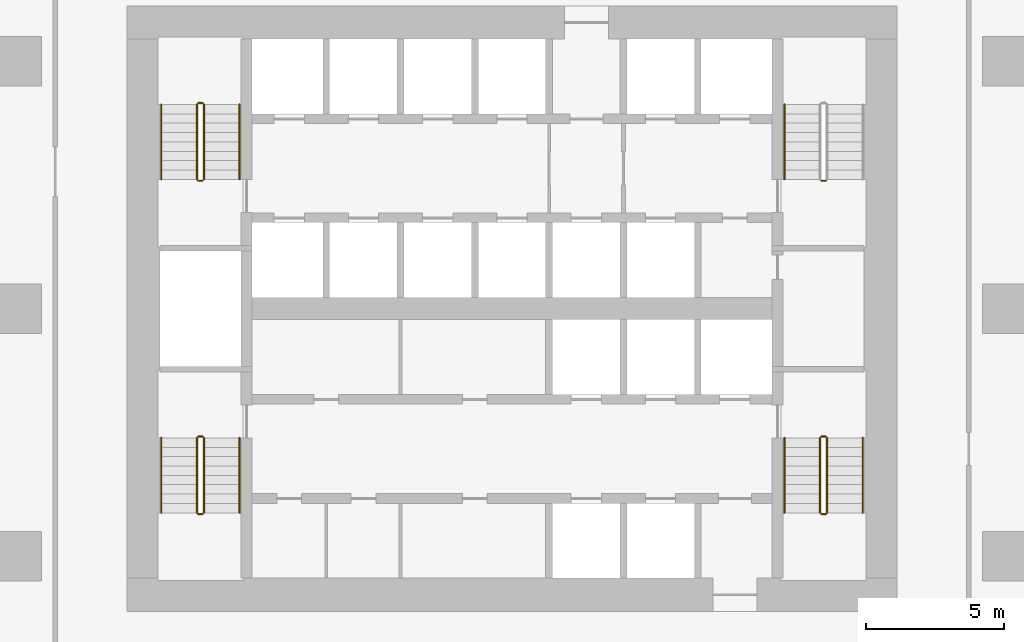
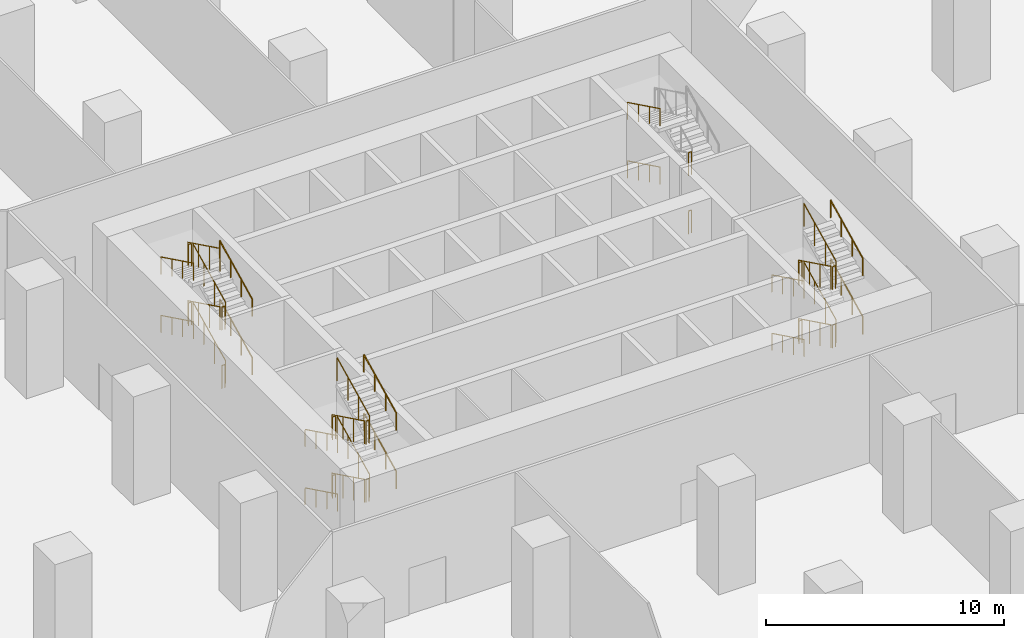
# One storey, part 10 of 11: 40 railings.
"""IFC4 building model written with IfcOpenShell, lengths in metres."""

from ifc_helpers import new_model, si_unit, direction, frame, origin, origin_2d, place, context, subcontext, project, spatial, circle, extrude, material, type_object, element, save


model = new_model("IFC4")

# Units and contexts
model_context = context("Model", 3, precision=1e-05, world=origin(), true_north=direction((0.0, 1.0)))
body_context = subcontext(model_context, "Body", "Model", "MODEL_VIEW")
ifc_project = project(units=[si_unit("LENGTHUNIT", "METRE"), si_unit("AREAUNIT", "SQUARE_METRE"), si_unit("VOLUMEUNIT", "CUBIC_METRE"), si_unit("PLANEANGLEUNIT", "RADIAN"), si_unit("MASSUNIT", "GRAM", prefix="KILO")], contexts=[model_context])

# Site, building, storey
site_placement = place(None, origin())
site = spatial("IfcSite", under=ifc_project, at=site_placement, CompositionType="ELEMENT")
building_placement = place(site_placement, origin())
building = spatial("IfcBuilding", under=site, at=building_placement, Name="Dongbaek Canopy Tower", CompositionType="ELEMENT")
storey_placement = place(building_placement, frame((0.0, 0.0, -6.0)))
storey = spatial("IfcBuildingStorey", under=building, at=storey_placement, Name="B1", CompositionType="ELEMENT", Elevation=-6.0)

# Railings
ifc_material_1 = material(Name="Stainless steel tube and balusters", Category="steel")
railing_type_1 = type_object("IfcRailingType", Name="Stair guard 1200", PredefinedType="GUARDRAIL", material=ifc_material_1)
for number, where, name in (
    (1, (11.39990234375, 4.64990234375, 3.0), "B1 ST-A stair guard 4"),
    (2, (11.39990234375, 4.64990234375, 0.0), "B1 ST-A stair guard 8"),
):
    element("IfcRailing", number, at=place(storey_placement, frame(where)), inside=storey, type_object=railing_type_1, Name=name, PredefinedType="GUARDRAIL", context=body_context, shape_type="SweptSolid", body=[
        extrude(circle(Radius=0.02392578125, at=origin_2d()), frame((0.0, 0.0, 1.17578125), z_axis=(-1.0, 0.0, 0.0), x_axis=(0.0, -1.0, 0.0)), (0.0, 0.0, 1.0), 0.14990234375),
        extrude(circle(Radius=0.02099609375, at=origin_2d()), origin(), (0.0, 0.0, 1.0), 1.15185546875),
        extrude(circle(Radius=0.02099609375, at=origin_2d()), frame((-0.14990234375, 0.0, 0.0)), (0.0, 0.0, 1.0), 1.15185546875),
    ])
railing_1_placement = place(storey_placement, frame((-11.199951171875, 4.699951171875, 0.166748046875)))
element("IfcRailing", 3, at=railing_1_placement, inside=storey, type_object=railing_type_1, Name="B1 ST-C stair guard 1", PredefinedType="GUARDRAIL", context=body_context, shape_type="SweptSolid", body=[
    extrude(circle(Radius=0.02392578125, at=origin_2d()), frame((0.0, 0.0, 1.17578125), z_axis=(0.0, 0.897929466783, 0.4401393787), x_axis=(-1.0, 0.0, 0.0)), (0.0, 0.0, 1.0), 3.029052734375),
    extrude(circle(Radius=0.02099609375, at=origin_2d()), origin(), (0.0, 0.0, 1.0), 1.15185546875),
    extrude(circle(Radius=0.02099609375, at=origin_2d()), frame((0.0, 0.90673828125, 0.4443359375)), (0.0, 0.0, 1.0), 1.15185546875),
    extrude(circle(Radius=0.02099609375, at=origin_2d()), frame((0.0, 1.813232421875, 0.888916015625)), (0.0, 0.0, 1.0), 1.15185546875),
    extrude(circle(Radius=0.02099609375, at=origin_2d()), frame((0.0, 2.719970703125, 1.333251953125)), (0.0, 0.0, 1.0), 1.15185546875),
])
railing_2_placement = place(storey_placement, frame((-11.25, 7.469970703125, 1.5)))
element("IfcRailing", 4, at=railing_2_placement, inside=storey, type_object=railing_type_1, Name="B1 ST-C stair guard 2", PredefinedType="GUARDRAIL", context=body_context, shape_type="SweptSolid", body=[
    extrude(circle(Radius=0.02392578125, at=origin_2d()), frame((0.0, 0.0, 1.17578125), z_axis=(-1.0, 0.0, 0.0), x_axis=(0.0, -1.0, 0.0)), (0.0, 0.0, 1.0), 0.14990234375),
    extrude(circle(Radius=0.02099609375, at=origin_2d()), origin(), (0.0, 0.0, 1.0), 1.15185546875),
    extrude(circle(Radius=0.02099609375, at=origin_2d()), frame((-0.14990234375, 0.0, 0.0)), (0.0, 0.0, 1.0), 1.15185546875),
])
railing_3_placement = place(storey_placement, frame((-11.449951171875, 7.419921875, 1.666748046875)))
element("IfcRailing", 5, at=railing_3_placement, inside=storey, type_object=railing_type_1, Name="B1 ST-C stair guard 3", PredefinedType="GUARDRAIL", context=body_context, shape_type="SweptSolid", body=[
    extrude(circle(Radius=0.02392578125, at=origin_2d()), frame((0.0, 0.0, 1.17578125), z_axis=(0.0, -0.897929466783, 0.4401393787), x_axis=(1.0, 0.0, 0.0)), (0.0, 0.0, 1.0), 3.029052734375),
    extrude(circle(Radius=0.02099609375, at=origin_2d()), origin(), (0.0, 0.0, 1.0), 1.15185546875),
    extrude(circle(Radius=0.02099609375, at=origin_2d()), frame((0.0, -0.90673828125, 0.4443359375)), (0.0, 0.0, 1.0), 1.15185546875),
    extrude(circle(Radius=0.02099609375, at=origin_2d()), frame((0.0, -1.813232421875, 0.888916015625)), (0.0, 0.0, 1.0), 1.15185546875),
    extrude(circle(Radius=0.02099609375, at=origin_2d()), frame((0.0, -2.719970703125, 1.333251953125)), (0.0, 0.0, 1.0), 1.15185546875),
])
railing_4_placement = place(storey_placement, frame((-11.25, 4.64990234375, 3.0)))
element("IfcRailing", 6, at=railing_4_placement, inside=storey, type_object=railing_type_1, Name="B1 ST-C stair guard 4", PredefinedType="GUARDRAIL", context=body_context, shape_type="SweptSolid", body=[
    extrude(circle(Radius=0.02392578125, at=origin_2d()), frame((0.0, 0.0, 1.17578125), z_axis=(-1.0, 0.0, 0.0), x_axis=(0.0, -1.0, 0.0)), (0.0, 0.0, 1.0), 0.14990234375),
    extrude(circle(Radius=0.02099609375, at=origin_2d()), origin(), (0.0, 0.0, 1.0), 1.15185546875),
    extrude(circle(Radius=0.02099609375, at=origin_2d()), frame((-0.14990234375, 0.0, 0.0)), (0.0, 0.0, 1.0), 1.15185546875),
])
railing_5_placement = place(storey_placement, frame((-11.199951171875, 4.699951171875, 3.166748046875)))
element("IfcRailing", 7, at=railing_5_placement, inside=storey, type_object=railing_type_1, Name="B1 ST-C stair guard 5", PredefinedType="GUARDRAIL", context=body_context, shape_type="SweptSolid", body=[
    extrude(circle(Radius=0.02392578125, at=origin_2d()), frame((0.0, 0.0, 1.17578125), z_axis=(0.0, 0.897929466783, 0.4401393787), x_axis=(-1.0, 0.0, 0.0)), (0.0, 0.0, 1.0), 3.029052734375),
    extrude(circle(Radius=0.02099609375, at=origin_2d()), origin(), (0.0, 0.0, 1.0), 1.15185546875),
    extrude(circle(Radius=0.02099609375, at=origin_2d()), frame((0.0, 0.90673828125, 0.4443359375)), (0.0, 0.0, 1.0), 1.15185546875),
    extrude(circle(Radius=0.02099609375, at=origin_2d()), frame((0.0, 1.813232421875, 0.888916015625)), (0.0, 0.0, 1.0), 1.15185546875),
    extrude(circle(Radius=0.02099609375, at=origin_2d()), frame((0.0, 2.719970703125, 1.333251953125)), (0.0, 0.0, 1.0), 1.15185546875),
])
railing_6_placement = place(storey_placement, frame((-11.25, 7.469970703125, 4.5)))
element("IfcRailing", 8, at=railing_6_placement, inside=storey, type_object=railing_type_1, Name="B1 ST-C stair guard 6", PredefinedType="GUARDRAIL", context=body_context, shape_type="SweptSolid", body=[
    extrude(circle(Radius=0.02392578125, at=origin_2d()), frame((0.0, 0.0, 1.17578125), z_axis=(-1.0, 0.0, 0.0), x_axis=(0.0, -1.0, 0.0)), (0.0, 0.0, 1.0), 0.14990234375),
    extrude(circle(Radius=0.02099609375, at=origin_2d()), origin(), (0.0, 0.0, 1.0), 1.15185546875),
    extrude(circle(Radius=0.02099609375, at=origin_2d()), frame((-0.14990234375, 0.0, 0.0)), (0.0, 0.0, 1.0), 1.15185546875),
])
railing_7_placement = place(storey_placement, frame((-11.449951171875, 7.419921875, 4.666748046875)))
element("IfcRailing", 9, at=railing_7_placement, inside=storey, type_object=railing_type_1, Name="B1 ST-C stair guard 7", PredefinedType="GUARDRAIL", context=body_context, shape_type="SweptSolid", body=[
    extrude(circle(Radius=0.02392578125, at=origin_2d()), frame((0.0, 0.0, 1.17578125), z_axis=(0.0, -0.897929466783, 0.4401393787), x_axis=(1.0, 0.0, 0.0)), (0.0, 0.0, 1.0), 3.029052734375),
    extrude(circle(Radius=0.02099609375, at=origin_2d()), origin(), (0.0, 0.0, 1.0), 1.15185546875),
    extrude(circle(Radius=0.02099609375, at=origin_2d()), frame((0.0, -0.90673828125, 0.4443359375)), (0.0, 0.0, 1.0), 1.15185546875),
    extrude(circle(Radius=0.02099609375, at=origin_2d()), frame((0.0, -1.813232421875, 0.888916015625)), (0.0, 0.0, 1.0), 1.15185546875),
    extrude(circle(Radius=0.02099609375, at=origin_2d()), frame((0.0, -2.719970703125, 1.333251953125)), (0.0, 0.0, 1.0), 1.15185546875),
])
railing_8_placement = place(storey_placement, frame((-11.25, 4.64990234375, 0.0)))
element("IfcRailing", 10, at=railing_8_placement, inside=storey, type_object=railing_type_1, Name="B1 ST-C stair guard 8", PredefinedType="GUARDRAIL", context=body_context, shape_type="SweptSolid", body=[
    extrude(circle(Radius=0.02392578125, at=origin_2d()), frame((0.0, 0.0, 1.17578125), z_axis=(-1.0, 0.0, 0.0), x_axis=(0.0, -1.0, 0.0)), (0.0, 0.0, 1.0), 0.14990234375),
    extrude(circle(Radius=0.02099609375, at=origin_2d()), origin(), (0.0, 0.0, 1.0), 1.15185546875),
    extrude(circle(Radius=0.02099609375, at=origin_2d()), frame((-0.14990234375, 0.0, 0.0)), (0.0, 0.0, 1.0), 1.15185546875),
])
railing_9_placement = place(storey_placement, frame((11.199951171875, -4.699951171875, 0.166748046875)))
element("IfcRailing", 11, at=railing_9_placement, inside=storey, type_object=railing_type_1, Name="B1 ST-B stair guard 1", PredefinedType="GUARDRAIL", context=body_context, shape_type="SweptSolid", body=[
    extrude(circle(Radius=0.02392578125, at=origin_2d()), frame((0.0, 0.0, 1.17578125), z_axis=(0.0, -0.897929466783, 0.4401393787), x_axis=(1.0, 0.0, 0.0)), (0.0, 0.0, 1.0), 3.029052734375),
    extrude(circle(Radius=0.02099609375, at=origin_2d()), origin(), (0.0, 0.0, 1.0), 1.15185546875),
    extrude(circle(Radius=0.02099609375, at=origin_2d()), frame((0.0, -0.90673828125, 0.4443359375)), (0.0, 0.0, 1.0), 1.15185546875),
    extrude(circle(Radius=0.02099609375, at=origin_2d()), frame((0.0, -1.813232421875, 0.888916015625)), (0.0, 0.0, 1.0), 1.15185546875),
    extrude(circle(Radius=0.02099609375, at=origin_2d()), frame((0.0, -2.719970703125, 1.333251953125)), (0.0, 0.0, 1.0), 1.15185546875),
])
railing_10_placement = place(storey_placement, frame((11.25, -7.469970703125, 1.5)))
element("IfcRailing", 12, at=railing_10_placement, inside=storey, type_object=railing_type_1, Name="B1 ST-B stair guard 2", PredefinedType="GUARDRAIL", context=body_context, shape_type="SweptSolid", body=[
    extrude(circle(Radius=0.02392578125, at=origin_2d()), frame((0.0, 0.0, 1.17578125), z_axis=(1.0, 0.0, 0.0), x_axis=(0.0, 1.0, 0.0)), (0.0, 0.0, 1.0), 0.14990234375),
    extrude(circle(Radius=0.02099609375, at=origin_2d()), origin(), (0.0, 0.0, 1.0), 1.15185546875),
    extrude(circle(Radius=0.02099609375, at=origin_2d()), frame((0.14990234375, 0.0, 0.0)), (0.0, 0.0, 1.0), 1.15185546875),
])
railing_11_placement = place(storey_placement, frame((11.449951171875, -7.419921875, 1.666748046875)))
element("IfcRailing", 13, at=railing_11_placement, inside=storey, type_object=railing_type_1, Name="B1 ST-B stair guard 3", PredefinedType="GUARDRAIL", context=body_context, shape_type="SweptSolid", body=[
    extrude(circle(Radius=0.02392578125, at=origin_2d()), frame((0.0, 0.0, 1.17578125), z_axis=(0.0, 0.897929466783, 0.4401393787), x_axis=(-1.0, 0.0, 0.0)), (0.0, 0.0, 1.0), 3.029052734375),
    extrude(circle(Radius=0.02099609375, at=origin_2d()), origin(), (0.0, 0.0, 1.0), 1.15185546875),
    extrude(circle(Radius=0.02099609375, at=origin_2d()), frame((0.0, 0.90673828125, 0.4443359375)), (0.0, 0.0, 1.0), 1.15185546875),
    extrude(circle(Radius=0.02099609375, at=origin_2d()), frame((0.0, 1.813232421875, 0.888916015625)), (0.0, 0.0, 1.0), 1.15185546875),
    extrude(circle(Radius=0.02099609375, at=origin_2d()), frame((0.0, 2.719970703125, 1.333251953125)), (0.0, 0.0, 1.0), 1.15185546875),
])
railing_12_placement = place(storey_placement, frame((11.25, -4.64990234375, 3.0)))
element("IfcRailing", 14, at=railing_12_placement, inside=storey, type_object=railing_type_1, Name="B1 ST-B stair guard 4", PredefinedType="GUARDRAIL", context=body_context, shape_type="SweptSolid", body=[
    extrude(circle(Radius=0.02392578125, at=origin_2d()), frame((0.0, 0.0, 1.17578125), z_axis=(1.0, 0.0, 0.0), x_axis=(0.0, 1.0, 0.0)), (0.0, 0.0, 1.0), 0.14990234375),
    extrude(circle(Radius=0.02099609375, at=origin_2d()), origin(), (0.0, 0.0, 1.0), 1.15185546875),
    extrude(circle(Radius=0.02099609375, at=origin_2d()), frame((0.14990234375, 0.0, 0.0)), (0.0, 0.0, 1.0), 1.15185546875),
])
railing_13_placement = place(storey_placement, frame((11.199951171875, -4.699951171875, 3.166748046875)))
element("IfcRailing", 15, at=railing_13_placement, inside=storey, type_object=railing_type_1, Name="B1 ST-B stair guard 5", PredefinedType="GUARDRAIL", context=body_context, shape_type="SweptSolid", body=[
    extrude(circle(Radius=0.02392578125, at=origin_2d()), frame((0.0, 0.0, 1.17578125), z_axis=(0.0, -0.897929466783, 0.4401393787), x_axis=(1.0, 0.0, 0.0)), (0.0, 0.0, 1.0), 3.029052734375),
    extrude(circle(Radius=0.02099609375, at=origin_2d()), origin(), (0.0, 0.0, 1.0), 1.15185546875),
    extrude(circle(Radius=0.02099609375, at=origin_2d()), frame((0.0, -0.90673828125, 0.4443359375)), (0.0, 0.0, 1.0), 1.15185546875),
    extrude(circle(Radius=0.02099609375, at=origin_2d()), frame((0.0, -1.813232421875, 0.888916015625)), (0.0, 0.0, 1.0), 1.15185546875),
    extrude(circle(Radius=0.02099609375, at=origin_2d()), frame((0.0, -2.719970703125, 1.333251953125)), (0.0, 0.0, 1.0), 1.15185546875),
])
railing_14_placement = place(storey_placement, frame((11.25, -7.469970703125, 4.5)))
element("IfcRailing", 16, at=railing_14_placement, inside=storey, type_object=railing_type_1, Name="B1 ST-B stair guard 6", PredefinedType="GUARDRAIL", context=body_context, shape_type="SweptSolid", body=[
    extrude(circle(Radius=0.02392578125, at=origin_2d()), frame((0.0, 0.0, 1.17578125), z_axis=(1.0, 0.0, 0.0), x_axis=(0.0, 1.0, 0.0)), (0.0, 0.0, 1.0), 0.14990234375),
    extrude(circle(Radius=0.02099609375, at=origin_2d()), origin(), (0.0, 0.0, 1.0), 1.15185546875),
    extrude(circle(Radius=0.02099609375, at=origin_2d()), frame((0.14990234375, 0.0, 0.0)), (0.0, 0.0, 1.0), 1.15185546875),
])
railing_15_placement = place(storey_placement, frame((11.449951171875, -7.419921875, 4.666748046875)))
element("IfcRailing", 17, at=railing_15_placement, inside=storey, type_object=railing_type_1, Name="B1 ST-B stair guard 7", PredefinedType="GUARDRAIL", context=body_context, shape_type="SweptSolid", body=[
    extrude(circle(Radius=0.02392578125, at=origin_2d()), frame((0.0, 0.0, 1.17578125), z_axis=(0.0, 0.897929466783, 0.4401393787), x_axis=(-1.0, 0.0, 0.0)), (0.0, 0.0, 1.0), 3.029052734375),
    extrude(circle(Radius=0.02099609375, at=origin_2d()), origin(), (0.0, 0.0, 1.0), 1.15185546875),
    extrude(circle(Radius=0.02099609375, at=origin_2d()), frame((0.0, 0.90673828125, 0.4443359375)), (0.0, 0.0, 1.0), 1.15185546875),
    extrude(circle(Radius=0.02099609375, at=origin_2d()), frame((0.0, 1.813232421875, 0.888916015625)), (0.0, 0.0, 1.0), 1.15185546875),
    extrude(circle(Radius=0.02099609375, at=origin_2d()), frame((0.0, 2.719970703125, 1.333251953125)), (0.0, 0.0, 1.0), 1.15185546875),
])
railing_16_placement = place(storey_placement, frame((11.25, -4.64990234375, 0.0)))
element("IfcRailing", 18, at=railing_16_placement, inside=storey, type_object=railing_type_1, Name="B1 ST-B stair guard 8", PredefinedType="GUARDRAIL", context=body_context, shape_type="SweptSolid", body=[
    extrude(circle(Radius=0.02392578125, at=origin_2d()), frame((0.0, 0.0, 1.17578125), z_axis=(1.0, 0.0, 0.0), x_axis=(0.0, 1.0, 0.0)), (0.0, 0.0, 1.0), 0.14990234375),
    extrude(circle(Radius=0.02099609375, at=origin_2d()), origin(), (0.0, 0.0, 1.0), 1.15185546875),
    extrude(circle(Radius=0.02099609375, at=origin_2d()), frame((0.14990234375, 0.0, 0.0)), (0.0, 0.0, 1.0), 1.15185546875),
])
railing_17_placement = place(storey_placement, frame((-11.449951171875, -4.699951171875, 0.166748046875)))
element("IfcRailing", 19, at=railing_17_placement, inside=storey, type_object=railing_type_1, Name="B1 ST-D stair guard 1", PredefinedType="GUARDRAIL", context=body_context, shape_type="SweptSolid", body=[
    extrude(circle(Radius=0.02392578125, at=origin_2d()), frame((0.0, 0.0, 1.17578125), z_axis=(0.0, -0.897929466783, 0.4401393787), x_axis=(1.0, 0.0, 0.0)), (0.0, 0.0, 1.0), 3.029052734375),
    extrude(circle(Radius=0.02099609375, at=origin_2d()), origin(), (0.0, 0.0, 1.0), 1.15185546875),
    extrude(circle(Radius=0.02099609375, at=origin_2d()), frame((0.0, -0.90673828125, 0.4443359375)), (0.0, 0.0, 1.0), 1.15185546875),
    extrude(circle(Radius=0.02099609375, at=origin_2d()), frame((0.0, -1.813232421875, 0.888916015625)), (0.0, 0.0, 1.0), 1.15185546875),
    extrude(circle(Radius=0.02099609375, at=origin_2d()), frame((0.0, -2.719970703125, 1.333251953125)), (0.0, 0.0, 1.0), 1.15185546875),
])
railing_18_placement = place(storey_placement, frame((-11.39990234375, -7.469970703125, 1.5)))
element("IfcRailing", 20, at=railing_18_placement, inside=storey, type_object=railing_type_1, Name="B1 ST-D stair guard 2", PredefinedType="GUARDRAIL", context=body_context, shape_type="SweptSolid", body=[
    extrude(circle(Radius=0.02392578125, at=origin_2d()), frame((0.0, 0.0, 1.17578125), z_axis=(1.0, 0.0, 0.0), x_axis=(0.0, 1.0, 0.0)), (0.0, 0.0, 1.0), 0.14990234375),
    extrude(circle(Radius=0.02099609375, at=origin_2d()), origin(), (0.0, 0.0, 1.0), 1.15185546875),
    extrude(circle(Radius=0.02099609375, at=origin_2d()), frame((0.14990234375, 0.0, 0.0)), (0.0, 0.0, 1.0), 1.15185546875),
])
railing_19_placement = place(storey_placement, frame((-11.199951171875, -7.419921875, 1.666748046875)))
element("IfcRailing", 21, at=railing_19_placement, inside=storey, type_object=railing_type_1, Name="B1 ST-D stair guard 3", PredefinedType="GUARDRAIL", context=body_context, shape_type="SweptSolid", body=[
    extrude(circle(Radius=0.02392578125, at=origin_2d()), frame((0.0, 0.0, 1.17578125), z_axis=(0.0, 0.897929466783, 0.4401393787), x_axis=(-1.0, 0.0, 0.0)), (0.0, 0.0, 1.0), 3.029052734375),
    extrude(circle(Radius=0.02099609375, at=origin_2d()), origin(), (0.0, 0.0, 1.0), 1.15185546875),
    extrude(circle(Radius=0.02099609375, at=origin_2d()), frame((0.0, 0.90673828125, 0.4443359375)), (0.0, 0.0, 1.0), 1.15185546875),
    extrude(circle(Radius=0.02099609375, at=origin_2d()), frame((0.0, 1.813232421875, 0.888916015625)), (0.0, 0.0, 1.0), 1.15185546875),
    extrude(circle(Radius=0.02099609375, at=origin_2d()), frame((0.0, 2.719970703125, 1.333251953125)), (0.0, 0.0, 1.0), 1.15185546875),
])
railing_20_placement = place(storey_placement, frame((-11.39990234375, -4.64990234375, 3.0)))
element("IfcRailing", 22, at=railing_20_placement, inside=storey, type_object=railing_type_1, Name="B1 ST-D stair guard 4", PredefinedType="GUARDRAIL", context=body_context, shape_type="SweptSolid", body=[
    extrude(circle(Radius=0.02392578125, at=origin_2d()), frame((0.0, 0.0, 1.17578125), z_axis=(1.0, 0.0, 0.0), x_axis=(0.0, 1.0, 0.0)), (0.0, 0.0, 1.0), 0.14990234375),
    extrude(circle(Radius=0.02099609375, at=origin_2d()), origin(), (0.0, 0.0, 1.0), 1.15185546875),
    extrude(circle(Radius=0.02099609375, at=origin_2d()), frame((0.14990234375, 0.0, 0.0)), (0.0, 0.0, 1.0), 1.15185546875),
])
railing_21_placement = place(storey_placement, frame((-11.449951171875, -4.699951171875, 3.166748046875)))
element("IfcRailing", 23, at=railing_21_placement, inside=storey, type_object=railing_type_1, Name="B1 ST-D stair guard 5", PredefinedType="GUARDRAIL", context=body_context, shape_type="SweptSolid", body=[
    extrude(circle(Radius=0.02392578125, at=origin_2d()), frame((0.0, 0.0, 1.17578125), z_axis=(0.0, -0.897929466783, 0.4401393787), x_axis=(1.0, 0.0, 0.0)), (0.0, 0.0, 1.0), 3.029052734375),
    extrude(circle(Radius=0.02099609375, at=origin_2d()), origin(), (0.0, 0.0, 1.0), 1.15185546875),
    extrude(circle(Radius=0.02099609375, at=origin_2d()), frame((0.0, -0.90673828125, 0.4443359375)), (0.0, 0.0, 1.0), 1.15185546875),
    extrude(circle(Radius=0.02099609375, at=origin_2d()), frame((0.0, -1.813232421875, 0.888916015625)), (0.0, 0.0, 1.0), 1.15185546875),
    extrude(circle(Radius=0.02099609375, at=origin_2d()), frame((0.0, -2.719970703125, 1.333251953125)), (0.0, 0.0, 1.0), 1.15185546875),
])
railing_22_placement = place(storey_placement, frame((-11.39990234375, -7.469970703125, 4.5)))
element("IfcRailing", 24, at=railing_22_placement, inside=storey, type_object=railing_type_1, Name="B1 ST-D stair guard 6", PredefinedType="GUARDRAIL", context=body_context, shape_type="SweptSolid", body=[
    extrude(circle(Radius=0.02392578125, at=origin_2d()), frame((0.0, 0.0, 1.17578125), z_axis=(1.0, 0.0, 0.0), x_axis=(0.0, 1.0, 0.0)), (0.0, 0.0, 1.0), 0.14990234375),
    extrude(circle(Radius=0.02099609375, at=origin_2d()), origin(), (0.0, 0.0, 1.0), 1.15185546875),
    extrude(circle(Radius=0.02099609375, at=origin_2d()), frame((0.14990234375, 0.0, 0.0)), (0.0, 0.0, 1.0), 1.15185546875),
])
railing_23_placement = place(storey_placement, frame((-11.199951171875, -7.419921875, 4.666748046875)))
element("IfcRailing", 25, at=railing_23_placement, inside=storey, type_object=railing_type_1, Name="B1 ST-D stair guard 7", PredefinedType="GUARDRAIL", context=body_context, shape_type="SweptSolid", body=[
    extrude(circle(Radius=0.02392578125, at=origin_2d()), frame((0.0, 0.0, 1.17578125), z_axis=(0.0, 0.897929466783, 0.4401393787), x_axis=(-1.0, 0.0, 0.0)), (0.0, 0.0, 1.0), 3.029052734375),
    extrude(circle(Radius=0.02099609375, at=origin_2d()), origin(), (0.0, 0.0, 1.0), 1.15185546875),
    extrude(circle(Radius=0.02099609375, at=origin_2d()), frame((0.0, 0.90673828125, 0.4443359375)), (0.0, 0.0, 1.0), 1.15185546875),
    extrude(circle(Radius=0.02099609375, at=origin_2d()), frame((0.0, 1.813232421875, 0.888916015625)), (0.0, 0.0, 1.0), 1.15185546875),
    extrude(circle(Radius=0.02099609375, at=origin_2d()), frame((0.0, 2.719970703125, 1.333251953125)), (0.0, 0.0, 1.0), 1.15185546875),
])
railing_24_placement = place(storey_placement, frame((-11.39990234375, -4.64990234375, 0.0)))
element("IfcRailing", 26, at=railing_24_placement, inside=storey, type_object=railing_type_1, Name="B1 ST-D stair guard 8", PredefinedType="GUARDRAIL", context=body_context, shape_type="SweptSolid", body=[
    extrude(circle(Radius=0.02392578125, at=origin_2d()), frame((0.0, 0.0, 1.17578125), z_axis=(1.0, 0.0, 0.0), x_axis=(0.0, 1.0, 0.0)), (0.0, 0.0, 1.0), 0.14990234375),
    extrude(circle(Radius=0.02099609375, at=origin_2d()), origin(), (0.0, 0.0, 1.0), 1.15185546875),
    extrude(circle(Radius=0.02099609375, at=origin_2d()), frame((0.14990234375, 0.0, 0.0)), (0.0, 0.0, 1.0), 1.15185546875),
])
ifc_material_2 = material(Name="Stainless steel tube", Category="steel")
railing_type_2 = type_object("IfcRailingType", Name="Stair handrail 900", PredefinedType="HANDRAIL", material=ifc_material_2)
for number, where, name in (
    (27, (9.89990234375, 7.419921875, 1.666748046875), "B1 ST-A stair handrail 2"),
    (28, (9.89990234375, 7.419921875, 4.666748046875), "B1 ST-A stair handrail 4"),
):
    element("IfcRailing", number, at=place(storey_placement, frame(where)), inside=storey, type_object=railing_type_2, Name=name, PredefinedType="HANDRAIL", context=body_context, shape_type="SweptSolid", body=[
        extrude(circle(Radius=0.02392578125, at=origin_2d()), frame((0.0, 0.0, 0.8759765625), z_axis=(0.0, -0.897929466783, 0.4401393787), x_axis=(1.0, 0.0, 0.0)), (0.0, 0.0, 1.0), 3.029052734375),
        extrude(circle(Radius=0.02099609375, at=origin_2d()), origin(), (0.0, 0.0, 1.0), 0.851806640625),
        extrude(circle(Radius=0.02099609375, at=origin_2d()), frame((0.0, -0.90673828125, 0.4443359375)), (0.0, 0.0, 1.0), 0.851806640625),
        extrude(circle(Radius=0.02099609375, at=origin_2d()), frame((0.0, -1.813232421875, 0.888916015625)), (0.0, 0.0, 1.0), 0.851806640625),
        extrude(circle(Radius=0.02099609375, at=origin_2d()), frame((0.0, -2.719970703125, 1.333251953125)), (0.0, 0.0, 1.0), 0.851806640625),
    ])
railing_25_placement = place(storey_placement, frame((-9.89990234375, 4.699951171875, 0.166748046875)))
element("IfcRailing", 29, at=railing_25_placement, inside=storey, type_object=railing_type_2, Name="B1 ST-C stair handrail 1", PredefinedType="HANDRAIL", context=body_context, shape_type="SweptSolid", body=[
    extrude(circle(Radius=0.02392578125, at=origin_2d()), frame((0.0, 0.0, 0.8759765625), z_axis=(0.0, 0.897929466783, 0.4401393787), x_axis=(-1.0, 0.0, 0.0)), (0.0, 0.0, 1.0), 3.029052734375),
    extrude(circle(Radius=0.02099609375, at=origin_2d()), origin(), (0.0, 0.0, 1.0), 0.851806640625),
    extrude(circle(Radius=0.02099609375, at=origin_2d()), frame((0.0, 0.90673828125, 0.4443359375)), (0.0, 0.0, 1.0), 0.851806640625),
    extrude(circle(Radius=0.02099609375, at=origin_2d()), frame((0.0, 1.813232421875, 0.888916015625)), (0.0, 0.0, 1.0), 0.851806640625),
    extrude(circle(Radius=0.02099609375, at=origin_2d()), frame((0.0, 2.719970703125, 1.333251953125)), (0.0, 0.0, 1.0), 0.851806640625),
])
railing_26_placement = place(storey_placement, frame((-12.75, 7.419921875, 1.666748046875)))
element("IfcRailing", 30, at=railing_26_placement, inside=storey, type_object=railing_type_2, Name="B1 ST-C stair handrail 2", PredefinedType="HANDRAIL", context=body_context, shape_type="SweptSolid", body=[
    extrude(circle(Radius=0.02392578125, at=origin_2d()), frame((0.0, 0.0, 0.8759765625), z_axis=(0.0, -0.897929466783, 0.4401393787), x_axis=(1.0, 0.0, 0.0)), (0.0, 0.0, 1.0), 3.029052734375),
    extrude(circle(Radius=0.02099609375, at=origin_2d()), origin(), (0.0, 0.0, 1.0), 0.851806640625),
    extrude(circle(Radius=0.02099609375, at=origin_2d()), frame((0.0, -0.90673828125, 0.4443359375)), (0.0, 0.0, 1.0), 0.851806640625),
    extrude(circle(Radius=0.02099609375, at=origin_2d()), frame((0.0, -1.813232421875, 0.888916015625)), (0.0, 0.0, 1.0), 0.851806640625),
    extrude(circle(Radius=0.02099609375, at=origin_2d()), frame((0.0, -2.719970703125, 1.333251953125)), (0.0, 0.0, 1.0), 0.851806640625),
])
railing_27_placement = place(storey_placement, frame((-9.89990234375, 4.699951171875, 3.166748046875)))
element("IfcRailing", 31, at=railing_27_placement, inside=storey, type_object=railing_type_2, Name="B1 ST-C stair handrail 3", PredefinedType="HANDRAIL", context=body_context, shape_type="SweptSolid", body=[
    extrude(circle(Radius=0.02392578125, at=origin_2d()), frame((0.0, 0.0, 0.8759765625), z_axis=(0.0, 0.897929466783, 0.4401393787), x_axis=(-1.0, 0.0, 0.0)), (0.0, 0.0, 1.0), 3.029052734375),
    extrude(circle(Radius=0.02099609375, at=origin_2d()), origin(), (0.0, 0.0, 1.0), 0.851806640625),
    extrude(circle(Radius=0.02099609375, at=origin_2d()), frame((0.0, 0.90673828125, 0.4443359375)), (0.0, 0.0, 1.0), 0.851806640625),
    extrude(circle(Radius=0.02099609375, at=origin_2d()), frame((0.0, 1.813232421875, 0.888916015625)), (0.0, 0.0, 1.0), 0.851806640625),
    extrude(circle(Radius=0.02099609375, at=origin_2d()), frame((0.0, 2.719970703125, 1.333251953125)), (0.0, 0.0, 1.0), 0.851806640625),
])
for number, where, name in (
    (32, (-12.75, 7.419921875, 4.666748046875), "B1 ST-C stair handrail 4"),
    (33, (9.89990234375, -4.699951171875, 0.166748046875), "B1 ST-B stair handrail 1"),
):
    element("IfcRailing", number, at=place(storey_placement, frame(where)), inside=storey, type_object=railing_type_2, Name=name, PredefinedType="HANDRAIL", context=body_context, shape_type="SweptSolid", body=[
        extrude(circle(Radius=0.02392578125, at=origin_2d()), frame((0.0, 0.0, 0.8759765625), z_axis=(0.0, -0.897929466783, 0.4401393787), x_axis=(1.0, 0.0, 0.0)), (0.0, 0.0, 1.0), 3.029052734375),
        extrude(circle(Radius=0.02099609375, at=origin_2d()), origin(), (0.0, 0.0, 1.0), 0.851806640625),
        extrude(circle(Radius=0.02099609375, at=origin_2d()), frame((0.0, -0.90673828125, 0.4443359375)), (0.0, 0.0, 1.0), 0.851806640625),
        extrude(circle(Radius=0.02099609375, at=origin_2d()), frame((0.0, -1.813232421875, 0.888916015625)), (0.0, 0.0, 1.0), 0.851806640625),
        extrude(circle(Radius=0.02099609375, at=origin_2d()), frame((0.0, -2.719970703125, 1.333251953125)), (0.0, 0.0, 1.0), 0.851806640625),
    ])
railing_28_placement = place(storey_placement, frame((12.75, -7.419921875, 1.666748046875)))
element("IfcRailing", 34, at=railing_28_placement, inside=storey, type_object=railing_type_2, Name="B1 ST-B stair handrail 2", PredefinedType="HANDRAIL", context=body_context, shape_type="SweptSolid", body=[
    extrude(circle(Radius=0.02392578125, at=origin_2d()), frame((0.0, 0.0, 0.8759765625), z_axis=(0.0, 0.897929466783, 0.4401393787), x_axis=(-1.0, 0.0, 0.0)), (0.0, 0.0, 1.0), 3.029052734375),
    extrude(circle(Radius=0.02099609375, at=origin_2d()), origin(), (0.0, 0.0, 1.0), 0.851806640625),
    extrude(circle(Radius=0.02099609375, at=origin_2d()), frame((0.0, 0.90673828125, 0.4443359375)), (0.0, 0.0, 1.0), 0.851806640625),
    extrude(circle(Radius=0.02099609375, at=origin_2d()), frame((0.0, 1.813232421875, 0.888916015625)), (0.0, 0.0, 1.0), 0.851806640625),
    extrude(circle(Radius=0.02099609375, at=origin_2d()), frame((0.0, 2.719970703125, 1.333251953125)), (0.0, 0.0, 1.0), 0.851806640625),
])
railing_29_placement = place(storey_placement, frame((9.89990234375, -4.699951171875, 3.166748046875)))
element("IfcRailing", 35, at=railing_29_placement, inside=storey, type_object=railing_type_2, Name="B1 ST-B stair handrail 3", PredefinedType="HANDRAIL", context=body_context, shape_type="SweptSolid", body=[
    extrude(circle(Radius=0.02392578125, at=origin_2d()), frame((0.0, 0.0, 0.8759765625), z_axis=(0.0, -0.897929466783, 0.4401393787), x_axis=(1.0, 0.0, 0.0)), (0.0, 0.0, 1.0), 3.029052734375),
    extrude(circle(Radius=0.02099609375, at=origin_2d()), origin(), (0.0, 0.0, 1.0), 0.851806640625),
    extrude(circle(Radius=0.02099609375, at=origin_2d()), frame((0.0, -0.90673828125, 0.4443359375)), (0.0, 0.0, 1.0), 0.851806640625),
    extrude(circle(Radius=0.02099609375, at=origin_2d()), frame((0.0, -1.813232421875, 0.888916015625)), (0.0, 0.0, 1.0), 0.851806640625),
    extrude(circle(Radius=0.02099609375, at=origin_2d()), frame((0.0, -2.719970703125, 1.333251953125)), (0.0, 0.0, 1.0), 0.851806640625),
])
railing_30_placement = place(storey_placement, frame((12.75, -7.419921875, 4.666748046875)))
element("IfcRailing", 36, at=railing_30_placement, inside=storey, type_object=railing_type_2, Name="B1 ST-B stair handrail 4", PredefinedType="HANDRAIL", context=body_context, shape_type="SweptSolid", body=[
    extrude(circle(Radius=0.02392578125, at=origin_2d()), frame((0.0, 0.0, 0.8759765625), z_axis=(0.0, 0.897929466783, 0.4401393787), x_axis=(-1.0, 0.0, 0.0)), (0.0, 0.0, 1.0), 3.029052734375),
    extrude(circle(Radius=0.02099609375, at=origin_2d()), origin(), (0.0, 0.0, 1.0), 0.851806640625),
    extrude(circle(Radius=0.02099609375, at=origin_2d()), frame((0.0, 0.90673828125, 0.4443359375)), (0.0, 0.0, 1.0), 0.851806640625),
    extrude(circle(Radius=0.02099609375, at=origin_2d()), frame((0.0, 1.813232421875, 0.888916015625)), (0.0, 0.0, 1.0), 0.851806640625),
    extrude(circle(Radius=0.02099609375, at=origin_2d()), frame((0.0, 2.719970703125, 1.333251953125)), (0.0, 0.0, 1.0), 0.851806640625),
])
railing_31_placement = place(storey_placement, frame((-12.75, -4.699951171875, 0.166748046875)))
element("IfcRailing", 37, at=railing_31_placement, inside=storey, type_object=railing_type_2, Name="B1 ST-D stair handrail 1", PredefinedType="HANDRAIL", context=body_context, shape_type="SweptSolid", body=[
    extrude(circle(Radius=0.02392578125, at=origin_2d()), frame((0.0, 0.0, 0.8759765625), z_axis=(0.0, -0.897929466783, 0.4401393787), x_axis=(1.0, 0.0, 0.0)), (0.0, 0.0, 1.0), 3.029052734375),
    extrude(circle(Radius=0.02099609375, at=origin_2d()), origin(), (0.0, 0.0, 1.0), 0.851806640625),
    extrude(circle(Radius=0.02099609375, at=origin_2d()), frame((0.0, -0.90673828125, 0.4443359375)), (0.0, 0.0, 1.0), 0.851806640625),
    extrude(circle(Radius=0.02099609375, at=origin_2d()), frame((0.0, -1.813232421875, 0.888916015625)), (0.0, 0.0, 1.0), 0.851806640625),
    extrude(circle(Radius=0.02099609375, at=origin_2d()), frame((0.0, -2.719970703125, 1.333251953125)), (0.0, 0.0, 1.0), 0.851806640625),
])
railing_32_placement = place(storey_placement, frame((-9.89990234375, -7.419921875, 1.666748046875)))
element("IfcRailing", 38, at=railing_32_placement, inside=storey, type_object=railing_type_2, Name="B1 ST-D stair handrail 2", PredefinedType="HANDRAIL", context=body_context, shape_type="SweptSolid", body=[
    extrude(circle(Radius=0.02392578125, at=origin_2d()), frame((0.0, 0.0, 0.8759765625), z_axis=(0.0, 0.897929466783, 0.4401393787), x_axis=(-1.0, 0.0, 0.0)), (0.0, 0.0, 1.0), 3.029052734375),
    extrude(circle(Radius=0.02099609375, at=origin_2d()), origin(), (0.0, 0.0, 1.0), 0.851806640625),
    extrude(circle(Radius=0.02099609375, at=origin_2d()), frame((0.0, 0.90673828125, 0.4443359375)), (0.0, 0.0, 1.0), 0.851806640625),
    extrude(circle(Radius=0.02099609375, at=origin_2d()), frame((0.0, 1.813232421875, 0.888916015625)), (0.0, 0.0, 1.0), 0.851806640625),
    extrude(circle(Radius=0.02099609375, at=origin_2d()), frame((0.0, 2.719970703125, 1.333251953125)), (0.0, 0.0, 1.0), 0.851806640625),
])
railing_33_placement = place(storey_placement, frame((-12.75, -4.699951171875, 3.166748046875)))
element("IfcRailing", 39, at=railing_33_placement, inside=storey, type_object=railing_type_2, Name="B1 ST-D stair handrail 3", PredefinedType="HANDRAIL", context=body_context, shape_type="SweptSolid", body=[
    extrude(circle(Radius=0.02392578125, at=origin_2d()), frame((0.0, 0.0, 0.8759765625), z_axis=(0.0, -0.897929466783, 0.4401393787), x_axis=(1.0, 0.0, 0.0)), (0.0, 0.0, 1.0), 3.029052734375),
    extrude(circle(Radius=0.02099609375, at=origin_2d()), origin(), (0.0, 0.0, 1.0), 0.851806640625),
    extrude(circle(Radius=0.02099609375, at=origin_2d()), frame((0.0, -0.90673828125, 0.4443359375)), (0.0, 0.0, 1.0), 0.851806640625),
    extrude(circle(Radius=0.02099609375, at=origin_2d()), frame((0.0, -1.813232421875, 0.888916015625)), (0.0, 0.0, 1.0), 0.851806640625),
    extrude(circle(Radius=0.02099609375, at=origin_2d()), frame((0.0, -2.719970703125, 1.333251953125)), (0.0, 0.0, 1.0), 0.851806640625),
])
railing_34_placement = place(storey_placement, frame((-9.89990234375, -7.419921875, 4.666748046875)))
element("IfcRailing", 40, at=railing_34_placement, inside=storey, type_object=railing_type_2, Name="B1 ST-D stair handrail 4", PredefinedType="HANDRAIL", context=body_context, shape_type="SweptSolid", body=[
    extrude(circle(Radius=0.02392578125, at=origin_2d()), frame((0.0, 0.0, 0.8759765625), z_axis=(0.0, 0.897929466783, 0.4401393787), x_axis=(-1.0, 0.0, 0.0)), (0.0, 0.0, 1.0), 3.029052734375),
    extrude(circle(Radius=0.02099609375, at=origin_2d()), origin(), (0.0, 0.0, 1.0), 0.851806640625),
    extrude(circle(Radius=0.02099609375, at=origin_2d()), frame((0.0, 0.90673828125, 0.4443359375)), (0.0, 0.0, 1.0), 0.851806640625),
    extrude(circle(Radius=0.02099609375, at=origin_2d()), frame((0.0, 1.813232421875, 0.888916015625)), (0.0, 0.0, 1.0), 0.851806640625),
    extrude(circle(Radius=0.02099609375, at=origin_2d()), frame((0.0, 2.719970703125, 1.333251953125)), (0.0, 0.0, 1.0), 0.851806640625),
])

save(model, "model.ifc")
